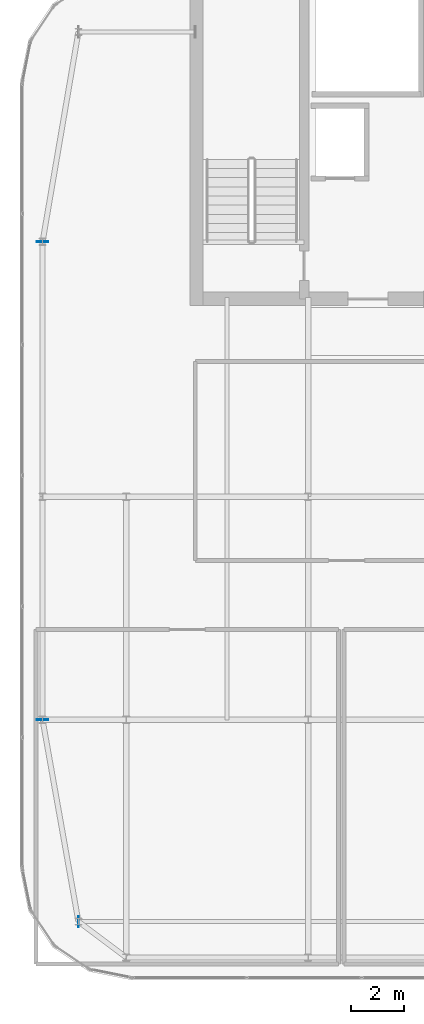
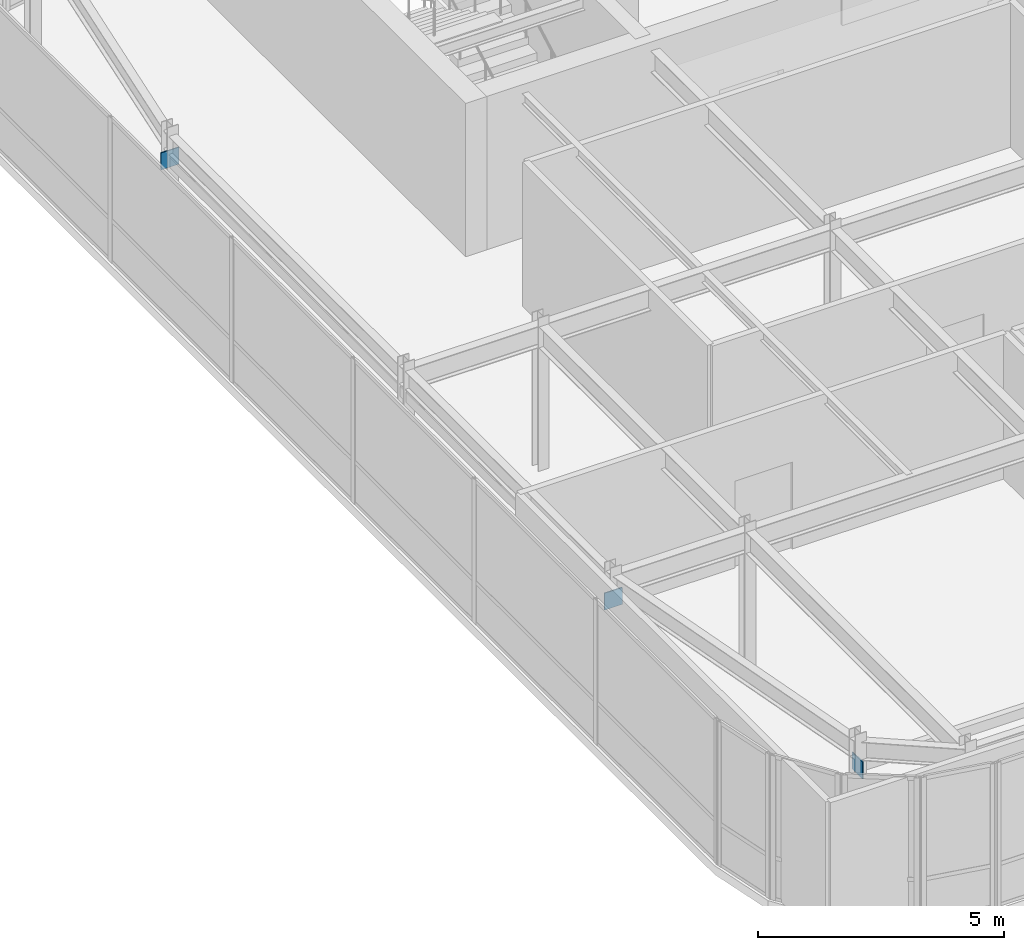
# One storey, part 31 of 36: 3 plates.
"""IFC4 building model written with IfcOpenShell, lengths in metres."""

from ifc_helpers import new_model, si_unit, direction, frame, origin, origin_2d, place, context, subcontext, project, spatial, rectangle, extrude, source, transform, mapped, material, layer, layer_set, type_object, type_shapes, element, save


model = new_model("IFC4")

# Units and contexts
model_context = context("Model", 3, precision=1e-05, world=origin(), true_north=direction((0.0, 1.0)))
body_context = subcontext(model_context, "Body", "Model", "MODEL_VIEW")
ifc_project = project(units=[si_unit("LENGTHUNIT", "METRE"), si_unit("AREAUNIT", "SQUARE_METRE"), si_unit("VOLUMEUNIT", "CUBIC_METRE"), si_unit("PLANEANGLEUNIT", "RADIAN"), si_unit("MASSUNIT", "GRAM", prefix="KILO")], contexts=[model_context])

# Site, building, storey
site_placement = place(None, origin())
site = spatial("IfcSite", under=ifc_project, at=site_placement, CompositionType="ELEMENT")
building_placement = place(site_placement, origin())
building = spatial("IfcBuilding", under=site, at=building_placement, Name="Tolvann Quenvar Hotel", CompositionType="ELEMENT")
storey_placement = place(building_placement, frame((0.0, 0.0, 306.14990234375)))
storey = spatial("IfcBuildingStorey", under=building, at=storey_placement, Name="L81", CompositionType="ELEMENT", Elevation=306.14990234375)

# Plates
ifc_material = material(Name="Steel Grade 350", Category="steel")
ifc_layer = layer(ifc_material, 0.02490234375)
ifc_layer_set = layer_set([ifc_layer], Name="Steel Grade 350")
plate_type = type_object("IfcPlateType", Name="PLT_ENDCAP_25", PredefinedType="SHEET", material=ifc_layer_set)
shared_shape_1 = source(origin(), body_context, "Body", "SweptSolid", [
    extrude(rectangle(XDim=0.02490234375, YDim=0.419921875, at=origin_2d()), origin(), (0.0, 0.0, 1.0), 0.419921875),
])
plate_placement = place(storey_placement, frame((5.800048828125, 8.39990234375, 2.72021484375), z_axis=(0.0, 0.0, 1.0), x_axis=(1.0, 0.0, 0.0)))
element("IfcPlate", 1, at=plate_placement, inside=storey, type_object=plate_type, Name="Crown Ring End Cap Plate EC-1 (L81-1-1)", PredefinedType="SHEET", context=body_context, shape_type="MappedRepresentation", body=[
    mapped(shared_shape_1, transform((0.0, 0.0, 0.0), x_axis=(1.0, 0.0, 0.0), y_axis=(0.0, 1.0, 0.0), z_axis=(0.0, 0.0, 1.0), scale=1.0)),
])
shared_shape_2 = source(origin(), body_context, "Body", "SweptSolid", [
    extrude(rectangle(XDim=0.419921875, YDim=0.02490234375, at=origin_2d()), origin(), (0.0, 0.0, 1.0), 0.419921875),
])
type_shapes(plate_type, [shared_shape_1, shared_shape_2])
for number, where, z_axis, x_axis, name in (
    (2, (4.449951171875, 16.0, 2.72021484375), (0.0, 0.0, 1.0), (1.0, 0.0, 0.0), "Crown Ring End Cap Plate EC-1 (L81-2-1)"),
    (3, (4.449951171875, 34.0, 2.72021484375), (0.0, 0.0, 1.0), (1.0, 0.0, 0.0), "Crown Ring End Cap Plate EC-1 (L81-2-2)"),
):
    element("IfcPlate", number, at=place(storey_placement, frame(where, z_axis=z_axis, x_axis=x_axis)), inside=storey, type_object=plate_type, Name=name, PredefinedType="SHEET", context=body_context, shape_type="MappedRepresentation", body=[
        mapped(shared_shape_2, transform((0.0, 0.0, 0.0), x_axis=(1.0, 0.0, 0.0), y_axis=(0.0, 1.0, 0.0), z_axis=(0.0, 0.0, 1.0), scale=1.0)),
    ])

save(model, "model.ifc")
